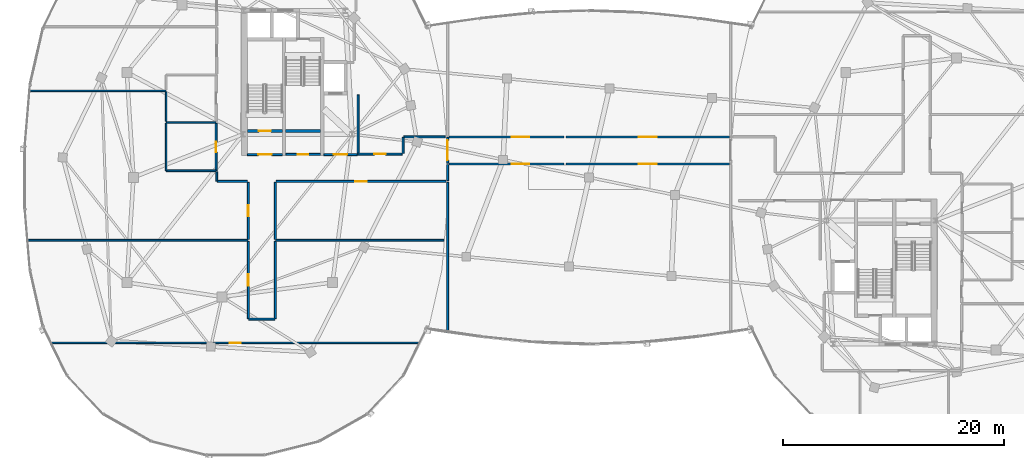
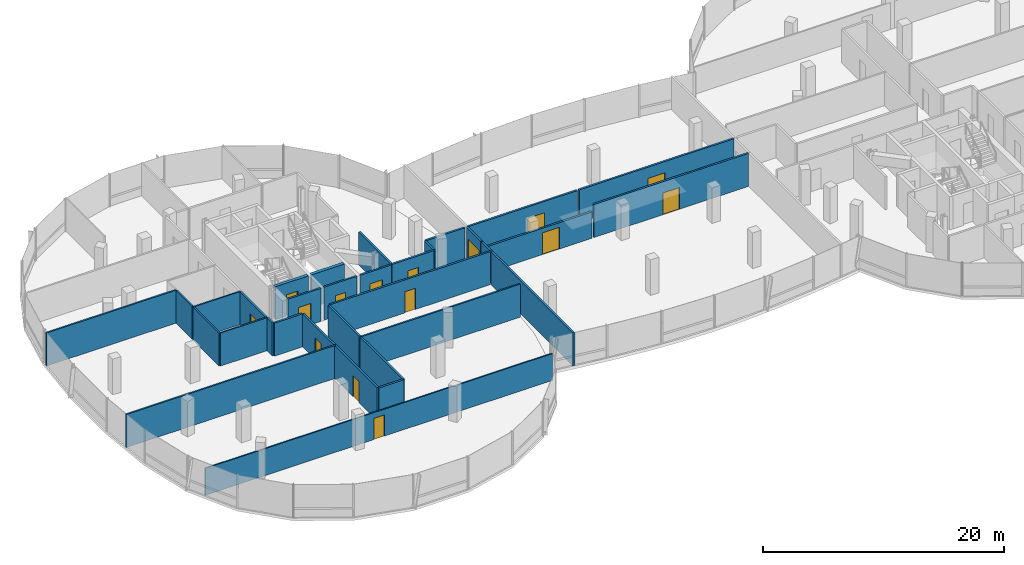
# One storey, part 14 of 26: 33 walls, 15 doors, 15 openings.
"""IFC4 building model written with IfcOpenShell, lengths in metres."""

from ifc_helpers import new_model, si_unit, direction, frame, frame_2d, origin, place, context, subcontext, project, spatial, rectangle, extrude, material, layer, layer_set, type_object, element, fill, save


model = new_model("IFC4")

# Units and contexts
model_context = context("Model", 3, precision=1e-05, world=origin(), true_north=direction((0.0, 1.0)))
body_context = subcontext(model_context, "Body", "Model", "MODEL_VIEW")
ifc_project = project(units=[si_unit("LENGTHUNIT", "METRE"), si_unit("AREAUNIT", "SQUARE_METRE"), si_unit("VOLUMEUNIT", "CUBIC_METRE"), si_unit("PLANEANGLEUNIT", "RADIAN"), si_unit("MASSUNIT", "GRAM", prefix="KILO"), si_unit("THERMODYNAMICTEMPERATUREUNIT", "KELVIN"), si_unit("POWERUNIT", "WATT")], contexts=[model_context])

# Site, building, storey
site_placement = place(None, origin())
site = spatial("IfcSite", under=ifc_project, at=site_placement, CompositionType="ELEMENT")
building_placement = place(site_placement, origin())
building = spatial("IfcBuilding", under=site, at=building_placement, Name="Cundina Bronze Exchange", CompositionType="ELEMENT")
storey_placement = place(building_placement, frame((0.0, 0.0, 264.800048828125)))
storey = spatial("IfcBuildingStorey", under=building, at=storey_placement, Name="L70", CompositionType="ELEMENT", Elevation=264.800048828125)

# Wall
ifc_material_1 = material(Name="Gypsum Fireboard Partition EI120")
ifc_layer_1 = layer(ifc_material_1, 0.179931640625, Name="Gypsum Fireboard Partition EI120")
ifc_layer_set_1 = layer_set([ifc_layer_1], Name="Gypsum Fireboard Partition EI120")
wall_type_1 = type_object("IfcWallType", Name="WL-COR-180", PredefinedType="PARTITIONING", material=ifc_layer_set_1)
wall_1_placement = place(storey_placement, frame((-20.889892578125, 2.14990234375, 0.0), z_axis=(0.0, 0.0, 1.0), x_axis=(0.0, 1.0, 0.0)))
element("IfcWall", 1, at=wall_1_placement, inside=storey, type_object=wall_type_1, Name="L70 W Firefighting Lobby Side Wall", PredefinedType="PARTITIONING", context=body_context, shape_type="SweptSolid", body=[
    extrude(rectangle(XDim=5.300048828125, YDim=0.179931640625, at=frame_2d((2.64990234375, 0.0))), origin(), (0.0, 0.0, 1.0), 3.33984375),
])

# Wall, opening, door
wall_2_placement = place(storey_placement, frame((-23.97998046875, 2.06005859375, 0.0), z_axis=(0.0, 0.0, 1.0), x_axis=(1.0, 0.0, 0.0)))
wall_2 = element("IfcWall", 2, at=wall_2_placement, inside=storey, type_object=wall_type_1, Name="L70 W Firefighting Lobby Exit Wall", PredefinedType="PARTITIONING", context=body_context, shape_type="SweptSolid", body=[
    extrude(rectangle(XDim=3.0, YDim=0.179931640625, at=frame_2d((1.5, 0.0))), origin(), (0.0, 0.0, 1.0), 3.33984375),
])
opening_1_placement = place(wall_2_placement, frame((0.89990234375, 0.0, 0.0)))
opening_1 = element("IfcOpeningElement", 3, at=opening_1_placement, cuts=wall_2, Name="Opening DF-01", PredefinedType="OPENING", context=body_context, shape_type="SweptSolid", body=[
    extrude(rectangle(XDim=1.199951171875, YDim=2.14990234375, at=frame_2d((0.60009765625, 1.074951171875))), frame((0.0, 0.099853515625, 0.0), z_axis=(0.0, -1.0, 0.0), x_axis=(1.0, 0.0, 0.0)), (0.0, 0.0, 1.0), 0.199951171875),
])
ifc_material_2 = material(Name="Steel ASTM A36 Painted", Category="steel")
door_type_1 = type_object("IfcDoorType", Name="DR-FFL-1200", OperationType="NOTDEFINED", PredefinedType="DOOR", material=ifc_material_2)
door_1_placement = place(opening_1_placement, origin())
door_1 = element("IfcDoor", 4, at=door_1_placement, inside=storey, type_object=door_type_1, Name="L70 W Firefighting Lobby Door", OperationType="SINGLE_SWING_RIGHT", OverallHeight=2.14990234375, OverallWidth=1.199951171875, PredefinedType="DOOR", context=body_context, shape_type="SweptSolid", body=[
    extrude(rectangle(XDim=1.199951171875, YDim=2.14990234375, at=frame_2d((0.60009765625, 1.074951171875))), frame((0.0, 0.02490234375, 0.0), z_axis=(0.0, -1.0, 0.0), x_axis=(1.0, 0.0, 0.0)), (0.0, 0.0, 1.0), 0.050048828125),
])
fill(opening_1, door_1)

wall_3_placement = place(storey_placement, frame((-30.89990234375, 2.06005859375, 0.0), z_axis=(0.0, 0.0, 1.0), x_axis=(1.0, 0.0, 0.0)))
wall_3 = element("IfcWall", 5, at=wall_3_placement, inside=storey, type_object=wall_type_1, Name="L70 W Stair Vestibule Exit Wall", PredefinedType="PARTITIONING", context=body_context, shape_type="SweptSolid", body=[
    extrude(rectangle(XDim=3.159912109375, YDim=0.179931640625, at=frame_2d((1.580078125, 0.0))), origin(), (0.0, 0.0, 1.0), 3.33984375),
])
opening_2_placement = place(wall_3_placement, frame((0.97998046875, 0.0, 0.0)))
opening_2 = element("IfcOpeningElement", 6, at=opening_2_placement, cuts=wall_3, Name="Opening DF-01", PredefinedType="OPENING", context=body_context, shape_type="SweptSolid", body=[
    extrude(rectangle(XDim=1.199951171875, YDim=2.14990234375, at=frame_2d((0.60009765625, 1.074951171875))), frame((0.0, 0.099853515625, 0.0), z_axis=(0.0, -1.0, 0.0), x_axis=(1.0, 0.0, 0.0)), (0.0, 0.0, 1.0), 0.199951171875),
])
door_2_placement = place(opening_2_placement, origin())
door_2 = element("IfcDoor", 7, at=door_2_placement, inside=storey, type_object=door_type_1, Name="L70 W Stair Vestibule Door", OperationType="SINGLE_SWING_LEFT", OverallHeight=2.14990234375, OverallWidth=1.199951171875, PredefinedType="DOOR", context=body_context, shape_type="SweptSolid", body=[
    extrude(rectangle(XDim=1.199951171875, YDim=2.14990234375, at=frame_2d((0.60009765625, 1.074951171875))), frame((0.0, 0.02490234375, 0.0), z_axis=(0.0, -1.0, 0.0), x_axis=(1.0, 0.0, 0.0)), (0.0, 0.0, 1.0), 0.050048828125),
])
fill(opening_2, door_2)

wall_4_placement = place(storey_placement, frame((-27.419921875, 2.070068359375, 0.0), z_axis=(0.0, 0.0, 1.0), x_axis=(1.0, 0.0, 0.0)))
wall_4 = element("IfcWall", 8, at=wall_4_placement, inside=storey, type_object=wall_type_1, Name="L70 Interior Partition 003", PredefinedType="PARTITIONING", context=body_context, shape_type="SweptSolid", body=[
    extrude(rectangle(XDim=3.119873046875, YDim=0.179931640625, at=frame_2d((1.56005859375, 0.0))), origin(), (0.0, 0.0, 1.0), 3.33984375),
])
opening_3_placement = place(wall_4_placement, frame((1.0849609375, 0.0, 0.0)))
opening_3 = element("IfcOpeningElement", 9, at=opening_3_placement, cuts=wall_4, Name="Opening DW-01", PredefinedType="OPENING", context=body_context, shape_type="SweptSolid", body=[
    extrude(rectangle(XDim=0.949951171875, YDim=2.10009765625, at=frame_2d((0.47509765625, 1.050048828125))), frame((0.0, 0.099853515625, 0.0), z_axis=(0.0, -1.0, 0.0), x_axis=(1.0, 0.0, 0.0)), (0.0, 0.0, 1.0), 0.199951171875),
])
ifc_material_3 = material(Name="Solid Andean Oak Timber Grade A", Category="wood")
door_type_2 = type_object("IfcDoorType", Name="DR-WC-950", OperationType="NOTDEFINED", PredefinedType="DOOR", material=ifc_material_3)
door_3_placement = place(opening_3_placement, origin())
door_3 = element("IfcDoor", 10, at=door_3_placement, inside=storey, type_object=door_type_2, Name="L70 Interior Door 003", OperationType="SINGLE_SWING_RIGHT", OverallHeight=2.10009765625, OverallWidth=0.949951171875, PredefinedType="DOOR", context=body_context, shape_type="SweptSolid", body=[
    extrude(rectangle(XDim=0.949951171875, YDim=2.10009765625, at=frame_2d((0.47509765625, 1.050048828125))), frame((0.0, 0.02490234375, 0.0), z_axis=(0.0, -1.0, 0.0), x_axis=(1.0, 0.0, 0.0)), (0.0, 0.0, 1.0), 0.050048828125),
])
fill(opening_3, door_3)

wall_5_placement = place(storey_placement, frame((-33.719970703125, 0.6201171875, 0.0), z_axis=(0.0, 0.0, 1.0), x_axis=(0.0, 1.0, 0.0)))
wall_5 = element("IfcWall", 11, at=wall_5_placement, inside=storey, type_object=wall_type_1, Name="L70 Interior Partition 010", PredefinedType="PARTITIONING", context=body_context, shape_type="SweptSolid", body=[
    extrude(rectangle(XDim=4.259765625, YDim=0.179931640625, at=frame_2d((2.1298828125, 0.0))), origin(), (0.0, 0.0, 1.0), 3.33984375),
])
opening_4_placement = place(wall_5_placement, frame((1.655029296875, 0.0, 0.0)))
opening_4 = element("IfcOpeningElement", 12, at=opening_4_placement, cuts=wall_5, Name="Opening DW-01", PredefinedType="OPENING", context=body_context, shape_type="SweptSolid", body=[
    extrude(rectangle(XDim=0.949951171875, YDim=2.10009765625, at=frame_2d((0.47509765625, 1.050048828125))), frame((0.0, 0.099853515625, 0.0), z_axis=(0.0, -1.0, 0.0), x_axis=(1.0, 0.0, 0.0)), (0.0, 0.0, 1.0), 0.199951171875),
])
door_4_placement = place(opening_4_placement, origin())
door_4 = element("IfcDoor", 13, at=door_4_placement, inside=storey, type_object=door_type_2, Name="L70 Interior Door 010", OperationType="SINGLE_SWING_LEFT", OverallHeight=2.10009765625, OverallWidth=0.949951171875, PredefinedType="DOOR", context=body_context, shape_type="SweptSolid", body=[
    extrude(rectangle(XDim=0.949951171875, YDim=2.10009765625, at=frame_2d((0.47509765625, 1.050048828125))), frame((0.0, 0.02490234375, 0.0), z_axis=(0.0, -1.0, 0.0), x_axis=(1.0, 0.0, 0.0)), (0.0, 0.0, 1.0), 0.050048828125),
])
fill(opening_4, door_4)

wall_6_placement = place(storey_placement, frame((-30.820068359375, -5.780029296875, 0.0), z_axis=(0.0, 0.0, 1.0), x_axis=(0.0, -1.0, 0.0)))
wall_6 = element("IfcWall", 14, at=wall_6_placement, inside=storey, type_object=wall_type_1, Name="L70 Interior Partition 019", PredefinedType="PARTITIONING", context=body_context, shape_type="SweptSolid", body=[
    extrude(rectangle(XDim=6.99853515625, YDim=0.179931640625, at=frame_2d((3.499267578125, 0.0))), origin(), (0.0, 0.0, 1.0), 3.33984375),
])
opening_5_placement = place(wall_6_placement, frame((2.999267578125, 0.0, 0.0)))
opening_5 = element("IfcOpeningElement", 15, at=opening_5_placement, cuts=wall_6, Name="Opening DO-01", PredefinedType="OPENING", context=body_context, shape_type="SweptSolid", body=[
    extrude(rectangle(XDim=1.0, YDim=2.14990234375, at=frame_2d((0.5, 1.074951171875))), frame((0.0, 0.099853515625, 0.0), z_axis=(0.0, -1.0, 0.0), x_axis=(1.0, 0.0, 0.0)), (0.0, 0.0, 1.0), 0.199951171875),
])
door_type_3 = type_object("IfcDoorType", Name="DR-OFF-1000", OperationType="NOTDEFINED", PredefinedType="DOOR", material=ifc_material_3)
door_5_placement = place(opening_5_placement, origin())
door_5 = element("IfcDoor", 16, at=door_5_placement, inside=storey, type_object=door_type_3, Name="L70 Interior Door 019", OperationType="SINGLE_SWING_LEFT", OverallHeight=2.14990234375, OverallWidth=1.0, PredefinedType="DOOR", context=body_context, shape_type="SweptSolid", body=[
    extrude(rectangle(XDim=1.0, YDim=2.14990234375, at=frame_2d((0.5, 1.074951171875))), frame((0.0, 0.02490234375, 0.0), z_axis=(0.0, -1.0, 0.0), x_axis=(1.0, 0.0, 0.0)), (0.0, 0.0, 1.0), 0.050048828125),
])
fill(opening_5, door_5)

# Walls
wall_7_placement = place(storey_placement, frame((-28.3798828125, -12.778564453125, 0.0), z_axis=(0.0, 0.0, 1.0), x_axis=(0.0, 1.0, 0.0)))
element("IfcWall", 17, at=wall_7_placement, inside=storey, type_object=wall_type_1, Name="L70 Interior Partition 020", PredefinedType="PARTITIONING", context=body_context, shape_type="SweptSolid", body=[
    extrude(rectangle(XDim=6.99853515625, YDim=0.179931640625, at=frame_2d((3.499267578125, 0.0))), origin(), (0.0, 0.0, 1.0), 3.33984375),
])
wall_8_placement = place(storey_placement, frame((-30.778564453125, -12.820068359375, 0.0), z_axis=(0.0, 0.0, 1.0), x_axis=(1.0, 0.0, 0.0)))
element("IfcWall", 18, at=wall_8_placement, inside=storey, type_object=wall_type_1, Name="L70 Interior Partition 021", PredefinedType="PARTITIONING", context=body_context, shape_type="SweptSolid", body=[
    extrude(rectangle(XDim=2.357177734375, YDim=0.179931640625, at=frame_2d((1.1787109375, 0.0))), origin(), (0.0, 0.0, 1.0), 3.33984375),
])

# Wall, opening, door
wall_9_placement = place(storey_placement, frame((-28.300048828125, -0.3701171875, 0.0), z_axis=(0.0, 0.0, 1.0), x_axis=(1.0, 0.0, 0.0)))
wall_9 = element("IfcWall", 19, at=wall_9_placement, inside=storey, type_object=wall_type_1, Name="L70 Interior Partition 022", PredefinedType="PARTITIONING", context=body_context, shape_type="SweptSolid", body=[
    extrude(rectangle(XDim=15.34912109375, YDim=0.179931640625, at=frame_2d((7.674560546875, 0.0))), origin(), (0.0, 0.0, 1.0), 3.33984375),
])
opening_6_placement = place(wall_9_placement, frame((7.174560546875, 0.0, 0.0)))
opening_6 = element("IfcOpeningElement", 20, at=opening_6_placement, cuts=wall_9, Name="Opening DO-01", PredefinedType="OPENING", context=body_context, shape_type="SweptSolid", body=[
    extrude(rectangle(XDim=1.0, YDim=2.14990234375, at=frame_2d((0.5, 1.074951171875))), frame((0.0, 0.099853515625, 0.0), z_axis=(0.0, -1.0, 0.0), x_axis=(1.0, 0.0, 0.0)), (0.0, 0.0, 1.0), 0.199951171875),
])
door_6_placement = place(opening_6_placement, origin())
door_6 = element("IfcDoor", 21, at=door_6_placement, inside=storey, type_object=door_type_3, Name="L70 Interior Door 022", OperationType="SINGLE_SWING_RIGHT", OverallHeight=2.14990234375, OverallWidth=1.0, PredefinedType="DOOR", context=body_context, shape_type="SweptSolid", body=[
    extrude(rectangle(XDim=1.0, YDim=2.14990234375, at=frame_2d((0.5, 1.074951171875))), frame((0.0, 0.02490234375, 0.0), z_axis=(0.0, -1.0, 0.0), x_axis=(1.0, 0.0, 0.0)), (0.0, 0.0, 1.0), 0.050048828125),
])
fill(opening_6, door_6)

# Wall
wall_10_placement = place(storey_placement, frame((-28.3798828125, -5.60009765625, 0.0), z_axis=(0.0, 0.0, 1.0), x_axis=(0.0, 1.0, 0.0)))
element("IfcWall", 22, at=wall_10_placement, inside=storey, type_object=wall_type_1, Name="L70 Interior Partition 023", PredefinedType="PARTITIONING", context=body_context, shape_type="SweptSolid", body=[
    extrude(rectangle(XDim=5.150146484375, YDim=0.179931640625, at=frame_2d((2.5751953125, 0.0))), origin(), (0.0, 0.0, 1.0), 3.33984375),
])

# Wall, opening, door
wall_11_placement = place(storey_placement, frame((-30.820068359375, -0.449951171875, 0.0), z_axis=(0.0, 0.0, 1.0), x_axis=(0.0, -1.0, 0.0)))
wall_11 = element("IfcWall", 23, at=wall_11_placement, inside=storey, type_object=wall_type_1, Name="L70 Interior Partition 024", PredefinedType="PARTITIONING", context=body_context, shape_type="SweptSolid", body=[
    extrude(rectangle(XDim=5.150146484375, YDim=0.179931640625, at=frame_2d((2.5751953125, 0.0))), origin(), (0.0, 0.0, 1.0), 3.33984375),
])
opening_7_placement = place(wall_11_placement, frame((2.074951171875, 0.0, 0.0)))
opening_7 = element("IfcOpeningElement", 24, at=opening_7_placement, cuts=wall_11, Name="Opening DO-01", PredefinedType="OPENING", context=body_context, shape_type="SweptSolid", body=[
    extrude(rectangle(XDim=1.0, YDim=2.14990234375, at=frame_2d((0.5, 1.074951171875))), frame((0.0, 0.099853515625, 0.0), z_axis=(0.0, -1.0, 0.0), x_axis=(1.0, 0.0, 0.0)), (0.0, 0.0, 1.0), 0.199951171875),
])
door_7_placement = place(opening_7_placement, origin())
door_7 = element("IfcDoor", 25, at=door_7_placement, inside=storey, type_object=door_type_3, Name="L70 Interior Door 024", OperationType="SINGLE_SWING_LEFT", OverallHeight=2.14990234375, OverallWidth=1.0, PredefinedType="DOOR", context=body_context, shape_type="SweptSolid", body=[
    extrude(rectangle(XDim=1.0, YDim=2.14990234375, at=frame_2d((0.5, 1.074951171875))), frame((0.0, 0.02490234375, 0.0), z_axis=(0.0, -1.0, 0.0), x_axis=(1.0, 0.0, 0.0)), (0.0, 0.0, 1.0), 0.050048828125),
])
fill(opening_7, door_7)

# Walls
wall_12_placement = place(storey_placement, frame((-33.62841796875, -0.3701171875, 0.0), z_axis=(0.0, 0.0, 1.0), x_axis=(1.0, 0.0, 0.0)))
element("IfcWall", 26, at=wall_12_placement, inside=storey, type_object=wall_type_1, Name="L70 Interior Partition 025", PredefinedType="PARTITIONING", context=body_context, shape_type="SweptSolid", body=[
    extrude(rectangle(XDim=2.728515625, YDim=0.179931640625, at=frame_2d((1.3642578125, 0.0))), origin(), (0.0, 0.0, 1.0), 3.33984375),
])
wall_13_placement = place(storey_placement, frame((-33.669921875, 0.508544921875, 0.0), z_axis=(0.0, 0.0, 1.0), x_axis=(0.0, -1.0, 0.0)))
element("IfcWall", 27, at=wall_13_placement, inside=storey, type_object=wall_type_1, Name="L70 Interior Partition 026", PredefinedType="PARTITIONING", context=body_context, shape_type="SweptSolid", body=[
    extrude(rectangle(XDim=0.837158203125, YDim=0.179931640625, at=frame_2d((0.41845703125, 0.0))), origin(), (0.0, 0.0, 1.0), 3.33984375),
])

# Wall, opening, door
wall_14_placement = place(storey_placement, frame((-16.89990234375, 2.10009765625, 0.0), z_axis=(0.0, 0.0, 1.0), x_axis=(-1.0, 0.0, 0.0)))
wall_14 = element("IfcWall", 28, at=wall_14_placement, inside=storey, type_object=wall_type_1, Name="L70 Interior Partition 028", PredefinedType="PARTITIONING", context=body_context, shape_type="SweptSolid", body=[
    extrude(rectangle(XDim=4.02001953125, YDim=0.179931640625, at=frame_2d((2.010009765625, 0.0))), origin(), (0.0, 0.0, 1.0), 3.33984375),
])
opening_8_placement = place(wall_14_placement, frame((1.510009765625, 0.0, 0.0)))
opening_8 = element("IfcOpeningElement", 29, at=opening_8_placement, cuts=wall_14, Name="Opening DO-01", PredefinedType="OPENING", context=body_context, shape_type="SweptSolid", body=[
    extrude(rectangle(XDim=1.0, YDim=2.14990234375, at=frame_2d((0.5, 1.074951171875))), frame((0.0, 0.099853515625, 0.0), z_axis=(0.0, -1.0, 0.0), x_axis=(1.0, 0.0, 0.0)), (0.0, 0.0, 1.0), 0.199951171875),
])
door_8_placement = place(opening_8_placement, origin())
door_8 = element("IfcDoor", 30, at=door_8_placement, inside=storey, type_object=door_type_3, Name="L70 Interior Door 028", OperationType="SINGLE_SWING_RIGHT", OverallHeight=2.14990234375, OverallWidth=1.0, PredefinedType="DOOR", context=body_context, shape_type="SweptSolid", body=[
    extrude(rectangle(XDim=1.0, YDim=2.14990234375, at=frame_2d((0.5, 1.074951171875))), frame((0.0, 0.02490234375, 0.0), z_axis=(0.0, -1.0, 0.0), x_axis=(1.0, 0.0, 0.0)), (0.0, 0.0, 1.0), 0.050048828125),
])
fill(opening_8, door_8)

# Walls
wall_15_placement = place(storey_placement, frame((-13.025634765625, 3.669921875, 0.0), z_axis=(0.0, 0.0, 1.0), x_axis=(-1.0, 0.0, 0.0)))
element("IfcWall", 31, at=wall_15_placement, inside=storey, type_object=wall_type_1, Name="L70 Interior Partition 029", PredefinedType="PARTITIONING", context=body_context, shape_type="SweptSolid", body=[
    extrude(rectangle(XDim=3.7529296875, YDim=0.179931640625, at=frame_2d((1.87646484375, 0.0))), origin(), (0.0, 0.0, 1.0), 3.33984375),
])
wall_16_placement = place(storey_placement, frame((-16.820068359375, 3.62841796875, 0.0), z_axis=(0.0, 0.0, 1.0), x_axis=(0.0, -1.0, 0.0)))
element("IfcWall", 32, at=wall_16_placement, inside=storey, type_object=wall_type_1, Name="L70 Interior Partition 032", PredefinedType="PARTITIONING", context=body_context, shape_type="SweptSolid", body=[
    extrude(rectangle(XDim=1.448486328125, YDim=0.179931640625, at=frame_2d((0.72412109375, 0.0))), origin(), (0.0, 0.0, 1.0), 3.33984375),
])

# Wall, opening, door
wall_17_placement = place(storey_placement, frame((-2.10498046875, 1.22998046875, 0.0), z_axis=(0.0, 0.0, 1.0), x_axis=(1.0, 0.0, 0.0)))
wall_17 = element("IfcWall", 33, at=wall_17_placement, inside=storey, type_object=wall_type_1, Name="L70 Interior Partition 075", PredefinedType="PARTITIONING", context=body_context, shape_type="SweptSolid", body=[
    extrude(rectangle(XDim=14.79345703125, YDim=0.179931640625, at=frame_2d((7.396728515625, 0.0))), origin(), (0.0, 0.0, 1.0), 3.33984375),
])
opening_9_placement = place(wall_17_placement, frame((6.5966796875, 0.0, 0.0)))
opening_9 = element("IfcOpeningElement", 34, at=opening_9_placement, cuts=wall_17, Name="Opening DO-02", PredefinedType="OPENING", context=body_context, shape_type="SweptSolid", body=[
    extrude(rectangle(XDim=1.60009765625, YDim=2.199951171875, at=frame_2d((0.800048828125, 1.10009765625))), frame((0.0, 0.099853515625, 0.0), z_axis=(0.0, -1.0, 0.0), x_axis=(1.0, 0.0, 0.0)), (0.0, 0.0, 1.0), 0.199951171875),
])
door_type_4 = type_object("IfcDoorType", Name="DR-TRD-1600", OperationType="NOTDEFINED", PredefinedType="DOOR", material=ifc_material_3)
door_9_placement = place(opening_9_placement, origin())
door_9 = element("IfcDoor", 35, at=door_9_placement, inside=storey, type_object=door_type_4, Name="L70 Interior Door 075", OperationType="SINGLE_SWING_LEFT", OverallHeight=2.199951171875, OverallWidth=1.60009765625, PredefinedType="DOOR", context=body_context, shape_type="SweptSolid", body=[
    extrude(rectangle(XDim=1.60009765625, YDim=2.199951171875, at=frame_2d((0.800048828125, 1.10009765625))), frame((0.0, 0.02490234375, 0.0), z_axis=(0.0, -1.0, 0.0), x_axis=(1.0, 0.0, 0.0)), (0.0, 0.0, 1.0), 0.050048828125),
])
fill(opening_9, door_9)

wall_18_placement = place(storey_placement, frame((-12.6884765625, 1.22998046875, 0.0), z_axis=(0.0, 0.0, 1.0), x_axis=(1.0, 0.0, 0.0)))
wall_18 = element("IfcWall", 36, at=wall_18_placement, inside=storey, type_object=wall_type_1, Name="L70 Interior Partition 076", PredefinedType="PARTITIONING", context=body_context, shape_type="SweptSolid", body=[
    extrude(rectangle(XDim=10.3935546875, YDim=0.179931640625, at=frame_2d((5.19677734375, 0.0))), origin(), (0.0, 0.0, 1.0), 2.662841796875),
])
opening_10_placement = place(wall_18_placement, frame((5.6796875, 0.0, 0.0)))
opening_10 = element("IfcOpeningElement", 37, at=opening_10_placement, cuts=wall_18, Name="Opening DO-02", PredefinedType="OPENING", context=body_context, shape_type="SweptSolid", body=[
    extrude(rectangle(XDim=1.60009765625, YDim=2.199951171875, at=frame_2d((0.800048828125, 1.10009765625))), frame((0.0, 0.099853515625, 0.0), z_axis=(0.0, -1.0, 0.0), x_axis=(1.0, 0.0, 0.0)), (0.0, 0.0, 1.0), 0.199951171875),
])
door_10_placement = place(opening_10_placement, origin())
door_10 = element("IfcDoor", 38, at=door_10_placement, inside=storey, type_object=door_type_4, Name="L70 Interior Door 076", OperationType="SINGLE_SWING_LEFT", OverallHeight=2.199951171875, OverallWidth=1.60009765625, PredefinedType="DOOR", context=body_context, shape_type="SweptSolid", body=[
    extrude(rectangle(XDim=1.60009765625, YDim=2.199951171875, at=frame_2d((0.800048828125, 1.10009765625))), frame((0.0, 0.02490234375, 0.0), z_axis=(0.0, -1.0, 0.0), x_axis=(1.0, 0.0, 0.0)), (0.0, 0.0, 1.0), 0.050048828125),
])
fill(opening_10, door_10)

wall_19_placement = place(storey_placement, frame((-2.294921875, 3.669921875, 0.0), z_axis=(0.0, 0.0, 1.0), x_axis=(-1.0, 0.0, 0.0)))
wall_19 = element("IfcWall", 39, at=wall_19_placement, inside=storey, type_object=wall_type_1, Name="L70 Interior Partition 077", PredefinedType="PARTITIONING", context=body_context, shape_type="SweptSolid", body=[
    extrude(rectangle(XDim=10.3935546875, YDim=0.179931640625, at=frame_2d((5.19677734375, 0.0))), origin(), (0.0, 0.0, 1.0), 3.33984375),
])
opening_11_placement = place(wall_19_placement, frame((3.11376953125, 0.0, 0.0)))
opening_11 = element("IfcOpeningElement", 40, at=opening_11_placement, cuts=wall_19, Name="Opening DO-02", PredefinedType="OPENING", context=body_context, shape_type="SweptSolid", body=[
    extrude(rectangle(XDim=1.60009765625, YDim=2.199951171875, at=frame_2d((0.800048828125, 1.10009765625))), frame((0.0, 0.099853515625, 0.0), z_axis=(0.0, -1.0, 0.0), x_axis=(1.0, 0.0, 0.0)), (0.0, 0.0, 1.0), 0.199951171875),
])
door_11_placement = place(opening_11_placement, origin())
door_11 = element("IfcDoor", 41, at=door_11_placement, inside=storey, type_object=door_type_4, Name="L70 Interior Door 077", OperationType="SINGLE_SWING_RIGHT", OverallHeight=2.199951171875, OverallWidth=1.60009765625, PredefinedType="DOOR", context=body_context, shape_type="SweptSolid", body=[
    extrude(rectangle(XDim=1.60009765625, YDim=2.199951171875, at=frame_2d((0.800048828125, 1.10009765625))), frame((0.0, 0.02490234375, 0.0), z_axis=(0.0, -1.0, 0.0), x_axis=(1.0, 0.0, 0.0)), (0.0, 0.0, 1.0), 0.050048828125),
])
fill(opening_11, door_11)

wall_20_placement = place(storey_placement, frame((12.6884765625, 3.669921875, 0.0), z_axis=(0.0, 0.0, 1.0), x_axis=(-1.0, 0.0, 0.0)))
wall_20 = element("IfcWall", 42, at=wall_20_placement, inside=storey, type_object=wall_type_1, Name="L70 Interior Partition 078", PredefinedType="PARTITIONING", context=body_context, shape_type="SweptSolid", body=[
    extrude(rectangle(XDim=14.79345703125, YDim=0.179931640625, at=frame_2d((7.396728515625, 0.0))), origin(), (0.0, 0.0, 1.0), 3.33984375),
])
opening_12_placement = place(wall_20_placement, frame((6.5966796875, 0.0, 0.0)))
opening_12 = element("IfcOpeningElement", 43, at=opening_12_placement, cuts=wall_20, Name="Opening DO-02", PredefinedType="OPENING", context=body_context, shape_type="SweptSolid", body=[
    extrude(rectangle(XDim=1.60009765625, YDim=2.199951171875, at=frame_2d((0.800048828125, 1.10009765625))), frame((0.0, 0.099853515625, 0.0), z_axis=(0.0, -1.0, 0.0), x_axis=(1.0, 0.0, 0.0)), (0.0, 0.0, 1.0), 0.199951171875),
])
door_12_placement = place(opening_12_placement, origin())
door_12 = element("IfcDoor", 44, at=door_12_placement, inside=storey, type_object=door_type_4, Name="L70 Interior Door 078", OperationType="SINGLE_SWING_RIGHT", OverallHeight=2.199951171875, OverallWidth=1.60009765625, PredefinedType="DOOR", context=body_context, shape_type="SweptSolid", body=[
    extrude(rectangle(XDim=1.60009765625, YDim=2.199951171875, at=frame_2d((0.800048828125, 1.10009765625))), frame((0.0, 0.02490234375, 0.0), z_axis=(0.0, -1.0, 0.0), x_axis=(1.0, 0.0, 0.0)), (0.0, 0.0, 1.0), 0.050048828125),
])
fill(opening_12, door_12)

# Walls
wall_21_placement = place(storey_placement, frame((-12.800048828125, -14.043701171875, 0.0), z_axis=(0.0, 0.0, 1.0), x_axis=(0.0, 1.0, 0.0)))
element("IfcWall", 45, at=wall_21_placement, inside=storey, type_object=wall_type_1, Name="L70 Interior Partition 079", PredefinedType="PARTITIONING", context=body_context, shape_type="SweptSolid", body=[
    extrude(rectangle(XDim=13.588623046875, YDim=0.179931640625, at=frame_2d((6.79443359375, 0.0))), origin(), (0.0, 0.0, 1.0), 3.33984375),
])
wall_22_placement = place(storey_placement, frame((-12.800048828125, -0.284912109375, 0.0), z_axis=(0.0, 0.0, 1.0), x_axis=(0.0, 1.0, 0.0)))
element("IfcWall", 46, at=wall_22_placement, inside=storey, type_object=wall_type_1, Name="L70 Interior Partition 080", PredefinedType="PARTITIONING", context=body_context, shape_type="SweptSolid", body=[
    extrude(rectangle(XDim=1.44482421875, YDim=0.179931640625, at=frame_2d((0.722412109375, 0.0))), origin(), (0.0, 0.0, 1.0), 3.33984375),
])

# Wall, opening, door
wall_23_placement = place(storey_placement, frame((-12.800048828125, 1.280029296875, 0.0), z_axis=(0.0, 0.0, 1.0), x_axis=(0.0, 1.0, 0.0)))
wall_23 = element("IfcWall", 47, at=wall_23_placement, inside=storey, type_object=wall_type_1, Name="L70 Interior Partition 082", PredefinedType="PARTITIONING", context=body_context, shape_type="SweptSolid", body=[
    extrude(rectangle(XDim=2.340087890625, YDim=0.179931640625, at=frame_2d((1.169921875, 0.0))), origin(), (0.0, 0.0, 1.0), 3.33984375),
])
opening_13_placement = place(wall_23_placement, frame((0.27001953125, 0.0, 0.0)))
opening_13 = element("IfcOpeningElement", 48, at=opening_13_placement, cuts=wall_23, Name="Opening DB-01", PredefinedType="OPENING", context=body_context, shape_type="SweptSolid", body=[
    extrude(rectangle(XDim=1.800048828125, YDim=2.25, at=frame_2d((0.89990234375, 1.125))), frame((0.0, 0.099853515625, 0.0), z_axis=(0.0, -1.0, 0.0), x_axis=(1.0, 0.0, 0.0)), (0.0, 0.0, 1.0), 0.199951171875),
])
door_type_5 = type_object("IfcDoorType", Name="DR-BRG-1800", OperationType="NOTDEFINED", PredefinedType="DOOR", material=ifc_material_2)
door_13_placement = place(opening_13_placement, origin())
door_13 = element("IfcDoor", 49, at=door_13_placement, inside=storey, type_object=door_type_5, Name="L70 Interior Door 082", OperationType="DOUBLE_DOOR_SINGLE_SWING", OverallHeight=2.25, OverallWidth=1.800048828125, PredefinedType="DOOR", context=body_context, shape_type="SweptSolid", body=[
    extrude(rectangle(XDim=1.800048828125, YDim=2.25, at=frame_2d((0.89990234375, 1.125))), frame((0.0, 0.02490234375, 0.0), z_axis=(0.0, -1.0, 0.0), x_axis=(1.0, 0.0, 0.0)), (0.0, 0.0, 1.0), 0.050048828125),
])
fill(opening_13, door_13)

ifc_material_4 = material(Name="Gypsum Acoustic Partition EI60")
ifc_layer_2 = layer(ifc_material_4, 0.125, Name="Gypsum Acoustic Partition EI60")
ifc_layer_set_2 = layer_set([ifc_layer_2], Name="Gypsum Acoustic Partition EI60")
wall_type_2 = type_object("IfcWallType", Name="WL-OFF-125", PredefinedType="PARTITIONING", material=ifc_layer_set_2)
wall_24_placement = place(storey_placement, frame((-48.631591796875, -14.9599609375, 0.0), z_axis=(0.0, 0.0, 1.0), x_axis=(1.0, 0.0, 0.0)))
wall_24 = element("IfcWall", 50, at=wall_24_placement, inside=storey, type_object=wall_type_2, Name="L70 Interior Partition 036", PredefinedType="PARTITIONING", context=body_context, shape_type="SweptSolid", body=[
    extrude(rectangle(XDim=33.26318359375, YDim=0.125, at=frame_2d((16.631591796875, 0.0))), origin(), (0.0, 0.0, 1.0), 2.723876953125),
])
opening_14_placement = place(wall_24_placement, frame((16.131591796875, 0.0, 0.0)))
opening_14 = element("IfcOpeningElement", 51, at=opening_14_placement, cuts=wall_24, Name="Opening DO-01", PredefinedType="OPENING", context=body_context, shape_type="SweptSolid", body=[
    extrude(rectangle(XDim=1.0, YDim=2.14990234375, at=frame_2d((0.5, 1.074951171875))), frame((0.0, 0.072509765625, 0.0), z_axis=(0.0, -1.0, 0.0), x_axis=(1.0, 0.0, 0.0)), (0.0, 0.0, 1.0), 0.14501953125),
])
door_14_placement = place(opening_14_placement, origin())
door_14 = element("IfcDoor", 52, at=door_14_placement, inside=storey, type_object=door_type_3, Name="L70 Interior Door 036", OperationType="SINGLE_SWING_RIGHT", OverallHeight=2.14990234375, OverallWidth=1.0, PredefinedType="DOOR", context=body_context, shape_type="SweptSolid", body=[
    extrude(rectangle(XDim=1.0, YDim=2.14990234375, at=frame_2d((0.5, 1.074951171875))), frame((0.0, 0.02490234375, 0.0), z_axis=(0.0, -1.0, 0.0), x_axis=(1.0, 0.0, 0.0)), (0.0, 0.0, 1.0), 0.050048828125),
])
fill(opening_14, door_14)

ifc_material_5 = material(Name="Concrete C50/60", Category="concrete")
ifc_layer_3 = layer(ifc_material_5, 0.300048828125, Name="Concrete C50/60", Category="concrete")
ifc_layer_set_3 = layer_set([ifc_layer_3], Name="Concrete C50/60")
wall_type_3 = type_object("IfcWallType", Name="WL-SHFT-300", PredefinedType="SHEAR", material=ifc_layer_set_3)
wall_25_placement = place(storey_placement, frame((-30.89990234375, 4.199951171875, 0.0), z_axis=(0.0, 0.0, 1.0), x_axis=(1.0, 0.0, 0.0)))
wall_25 = element("IfcWall", 53, at=wall_25_placement, inside=storey, type_object=wall_type_3, Name="L70 Stair W1 Landing Wall", PredefinedType="SHEAR", context=body_context, shape_type="SweptSolid", body=[
    extrude(rectangle(XDim=3.159912109375, YDim=0.300048828125, at=frame_2d((1.580078125, 0.0))), origin(), (0.0, 0.0, 1.0), 3.33984375),
])
opening_15_placement = place(wall_25_placement, frame((1.030029296875, 0.0, 0.0)))
opening_15 = element("IfcOpeningElement", 54, at=opening_15_placement, cuts=wall_25, Name="Opening DS-01", PredefinedType="OPENING", context=body_context, shape_type="SweptSolid", body=[
    extrude(rectangle(XDim=1.10009765625, YDim=2.14990234375, at=frame_2d((0.550048828125, 1.074951171875))), frame((0.0, 0.159912109375, 0.0), z_axis=(0.0, -1.0, 0.0), x_axis=(1.0, 0.0, 0.0)), (0.0, 0.0, 1.0), 0.320068359375),
])
door_type_6 = type_object("IfcDoorType", Name="DR-STR-1100", OperationType="NOTDEFINED", PredefinedType="DOOR", material=ifc_material_2)
door_15_placement = place(opening_15_placement, origin())
door_15 = element("IfcDoor", 55, at=door_15_placement, inside=storey, type_object=door_type_6, Name="L70 Smokeproof Stair W1 Door", OperationType="SINGLE_SWING_RIGHT", OverallHeight=2.14990234375, OverallWidth=1.10009765625, PredefinedType="DOOR", context=body_context, shape_type="SweptSolid", body=[
    extrude(rectangle(XDim=1.10009765625, YDim=2.14990234375, at=frame_2d((0.550048828125, 1.074951171875))), frame((0.0, 0.02490234375, 0.0), z_axis=(0.0, -1.0, 0.0), x_axis=(1.0, 0.0, 0.0)), (0.0, 0.0, 1.0), 0.050048828125),
])
fill(opening_15, door_15)

# Walls
wall_26_placement = place(storey_placement, frame((-27.43994140625, 4.199951171875, 0.0), z_axis=(0.0, 0.0, 1.0), x_axis=(1.0, 0.0, 0.0)))
element("IfcWall", 56, at=wall_26_placement, inside=storey, type_object=wall_type_3, Name="L70 Stair W2 Far Shaft Wall", PredefinedType="SHEAR", context=body_context, shape_type="SweptSolid", body=[
    extrude(rectangle(XDim=3.159912109375, YDim=0.300048828125, at=frame_2d((1.580078125, 0.0))), origin(), (0.0, 0.0, 1.0), 3.33984375),
])
ifc_layer_4 = layer(ifc_material_4, 0.14990234375, Name="Gypsum Acoustic Partition EI60")
ifc_layer_set_4 = layer_set([ifc_layer_4], Name="Gypsum Acoustic Partition EI60")
wall_type_4 = type_object("IfcWallType", Name="WL-TEN-150", PredefinedType="PARTITIONING", material=ifc_layer_set_4)
wall_27_placement = place(storey_placement, frame((-50.859619140625, -5.68994140625, 0.0), z_axis=(0.0, 0.0, 1.0), x_axis=(1.0, 0.0, 0.0)))
element("IfcWall", 57, at=wall_27_placement, inside=storey, type_object=wall_type_4, Name="L70 Interior Partition 012", PredefinedType="PARTITIONING", context=body_context, shape_type="SweptSolid", body=[
    extrude(rectangle(XDim=20.009521484375, YDim=0.14990234375, at=frame_2d((10.0048828125, 0.0))), origin(), (0.0, 0.0, 1.0), 3.33984375),
])
wall_28_placement = place(storey_placement, frame((-28.35009765625, -5.68994140625, 0.0), z_axis=(0.0, 0.0, 1.0), x_axis=(1.0, 0.0, 0.0)))
element("IfcWall", 58, at=wall_28_placement, inside=storey, type_object=wall_type_4, Name="L70 Interior Partition 013", PredefinedType="PARTITIONING", context=body_context, shape_type="SweptSolid", body=[
    extrude(rectangle(XDim=15.209716796875, YDim=0.14990234375, at=frame_2d((7.60498046875, 0.0))), origin(), (0.0, 0.0, 1.0), 3.33984375),
])
wall_29_placement = place(storey_placement, frame((-50.6806640625, 7.820068359375, 0.0), z_axis=(0.0, 0.0, 1.0), x_axis=(1.0, 0.0, 0.0)))
element("IfcWall", 59, at=wall_29_placement, inside=storey, type_object=wall_type_4, Name="L70 Interior Partition 014", PredefinedType="PARTITIONING", context=body_context, shape_type="SweptSolid", body=[
    extrude(rectangle(XDim=12.41064453125, YDim=0.14990234375, at=frame_2d((6.205322265625, 0.0))), origin(), (0.0, 0.0, 1.0), 3.33984375),
])
ifc_material_6 = material(Name="Moisture-Resistant Masonry Block Grade M15", Category="masonry")
ifc_layer_5 = layer(ifc_material_6, 0.139892578125, Name="Moisture-Resistant Masonry Block Grade M15", Category="masonry")
ifc_layer_set_5 = layer_set([ifc_layer_5], Name="Moisture-Resistant Masonry Block Grade M15")
wall_type_5 = type_object("IfcWallType", Name="WL-WET-140", PredefinedType="PARTITIONING", material=ifc_layer_set_5)
wall_30_placement = place(storey_placement, frame((-38.239990234375, 0.6201171875, 0.0), z_axis=(0.0, 0.0, 1.0), x_axis=(0.0, 1.0, 0.0)))
element("IfcWall", 60, at=wall_30_placement, inside=storey, type_object=wall_type_5, Name="L70 Interior Partition 004", PredefinedType="PARTITIONING", context=body_context, shape_type="SweptSolid", body=[
    extrude(rectangle(XDim=4.27490234375, YDim=0.139892578125, at=frame_2d((2.137451171875, 0.0))), origin(), (0.0, 0.0, 1.0), 3.33984375),
])
wall_31_placement = place(storey_placement, frame((-38.239990234375, 5.06494140625, 0.0), z_axis=(0.0, 0.0, 1.0), x_axis=(0.0, 1.0, 0.0)))
element("IfcWall", 61, at=wall_31_placement, inside=storey, type_object=wall_type_5, Name="L70 Interior Partition 005", PredefinedType="PARTITIONING", context=body_context, shape_type="SweptSolid", body=[
    extrude(rectangle(XDim=2.670166015625, YDim=0.139892578125, at=frame_2d((1.3349609375, 0.0))), origin(), (0.0, 0.0, 1.0), 3.33984375),
])
for number, where, z_axis, x_axis, name in (
    (62, (-38.219970703125, 0.60009765625, 0.0), (0.0, 0.0, 1.0), (1.0, 0.0, 0.0), "L70 Interior Partition 007"),
    (63, (-38.219970703125, 4.97998046875, 0.0), (0.0, 0.0, 1.0), (1.0, 0.0, 0.0), "L70 Interior Partition 008"),
):
    element("IfcWall", number, at=place(storey_placement, frame(where, z_axis=z_axis, x_axis=x_axis)), inside=storey, type_object=wall_type_5, Name=name, PredefinedType="PARTITIONING", context=body_context, shape_type="SweptSolid", body=[
        extrude(rectangle(XDim=4.47998046875, YDim=0.139892578125, at=frame_2d((2.239990234375, 0.0))), origin(), (0.0, 0.0, 1.0), 3.33984375),
    ])

save(model, "model.ifc")
